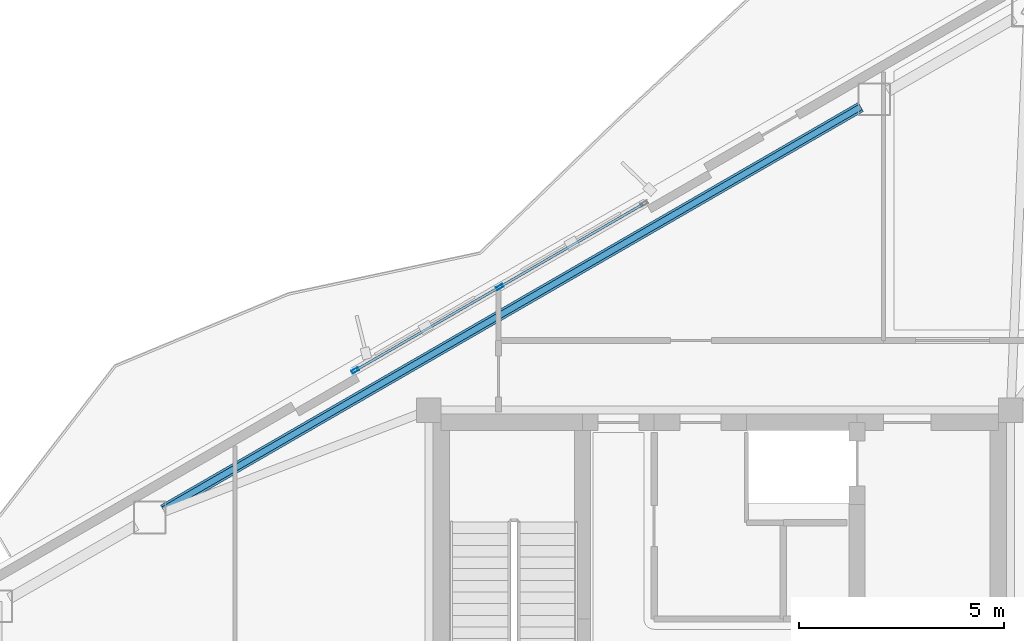
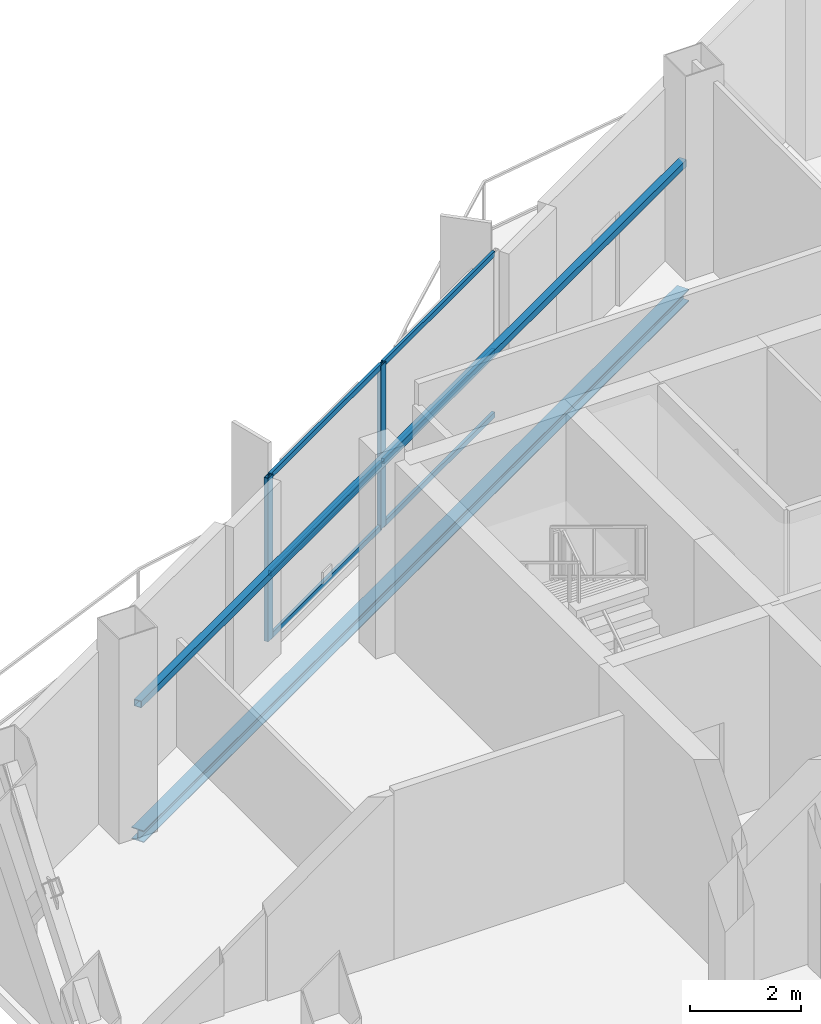
# One storey, part 6 of 14: 8 members, 2 beams, 1 element without a shape of its own.
"""IFC4 building model written with IfcOpenShell, lengths in metres."""

from ifc_helpers import new_model, si_unit, direction, frame, origin, origin_2d, place, context, subcontext, project, spatial, hollow_rectangle, i_section, extrude, material, layer, layer_set, material_profile, profile_set, type_object, element, aggregate, save


model = new_model("IFC4")

# Units and contexts
model_context = context("Model", 3, precision=1e-05, world=origin(), true_north=direction((0.0, 1.0)))
body_context = subcontext(model_context, "Body", "Model", "MODEL_VIEW")
ifc_project = project(units=[si_unit("LENGTHUNIT", "METRE"), si_unit("AREAUNIT", "SQUARE_METRE"), si_unit("VOLUMEUNIT", "CUBIC_METRE"), si_unit("PLANEANGLEUNIT", "RADIAN"), si_unit("MASSUNIT", "GRAM", prefix="KILO")], contexts=[model_context])

# Site, building, storey
site_placement = place(None, origin())
site = spatial("IfcSite", under=ifc_project, at=site_placement, CompositionType="ELEMENT")
building_placement = place(site_placement, origin())
building = spatial("IfcBuilding", under=site, at=building_placement, Name="Mersakhor Tower and Convention Hall", CompositionType="ELEMENT")
storey_placement = place(building_placement, frame((0.0, 0.0, 254.10009765625)))
storey = spatial("IfcBuildingStorey", under=building, at=storey_placement, Name="L71", CompositionType="ELEMENT", Elevation=254.10009765625)

# Beams
ifc_material_1 = material(Name="Steel S355", Category="steel")
ifc_material_profile_1 = material_profile(ifc_material_1, hollow_rectangle(XDim=0.14990234375, YDim=0.14990234375, WallThickness=0.010009765625, at=origin_2d()), Name="SHS 150x150x10")
ifc_profile_set_1 = profile_set([ifc_material_profile_1], Name="Steel S355")
beam_type_1 = type_object("IfcBeamType", Name="BM-GRT-SHS150", PredefinedType="USERDEFINED", material=ifc_profile_set_1)
beam_1_placement = place(storey_placement, frame((15.414794921875, 30.618408203125, 2.47998046875), z_axis=(0.866021610626, 0.500006569886, 0.0), x_axis=(-0.500006569886, 0.866021610626, 0.0)))
element("IfcBeam", 1, at=beam_1_placement, inside=storey, type_object=beam_type_1, Name="L71 Facade Support Girt GRT-F1", ObjectType="GIRT", PredefinedType="USERDEFINED", context=body_context, shape_type="SweptSolid", body=[
    extrude(hollow_rectangle(XDim=0.14990234375, YDim=0.14990234375, WallThickness=0.010009765625, at=origin_2d()), origin(), (0.0, 0.0, 1.0), 19.661865234375),
])
ifc_material_2 = material(Name="Steel S355", Category="steel")
ifc_material_profile_2 = material_profile(ifc_material_2, i_section(OverallWidth=0.25634765625, OverallDepth=0.26025390625, WebThickness=0.01025390625, FlangeThickness=0.017333984375, at=origin_2d()), Name="UC 254x254x89")
ifc_profile_set_2 = profile_set([ifc_material_profile_2], Name="Steel S355")
beam_type_2 = type_object("IfcBeamType", Name="BM-SPD-UC254", PredefinedType="SPANDREL", material=ifc_profile_set_2)
beam_2_placement = place(storey_placement, frame((15.414794921875, 30.618408203125, -0.41015625), z_axis=(0.866021610626, 0.500006569886, 0.0), x_axis=(-0.500006569886, 0.866021610626, 0.0)))
element("IfcBeam", 2, at=beam_2_placement, inside=storey, type_object=beam_type_2, Name="L71 Perimeter Spandrel Beam SPB-02", PredefinedType="SPANDREL", context=body_context, shape_type="SweptSolid", body=[
    extrude(i_section(OverallWidth=0.25634765625, OverallDepth=0.26025390625, WebThickness=0.01025390625, FlangeThickness=0.017333984375, at=origin_2d()), origin(), (0.0, 0.0, 1.0), 19.661865234375),
])

# Curtain wall, members
ifc_material_3 = material(Name="Dark solar low-E aluminium curtain wall", Category="aluminium")
ifc_layer = layer(ifc_material_3, 0.2099609375)
ifc_layer_set = layer_set([ifc_layer], Name="Dark solar low-E aluminium curtain wall")
curtain_wall_type = type_object("IfcCurtainWallType", Name="CW-SYS-06", PredefinedType="USERDEFINED", material=ifc_layer_set)
curtain_wall_placement = place(storey_placement, origin())
curtain_wall = element("IfcCurtainWall", 3, at=curtain_wall_placement, inside=storey, type_object=curtain_wall_type, Name="L71 Dark-Glass Curtain Wall F1-B2", ObjectType="CURTAIN WALL", PredefinedType="USERDEFINED")
ifc_material_4 = material(Name="Anodised aluminium EN AW-6063 T6", Category="aluminium")
ifc_material_profile_3 = material_profile(ifc_material_4, hollow_rectangle(XDim=0.080078125, YDim=0.179931640625, WallThickness=0.008056640625, at=origin_2d()), Name="RHS 180x80x8")
ifc_profile_set_3 = profile_set([ifc_material_profile_3], Name="Anodised aluminium EN AW-6063 T6")
member_type_1 = type_object("IfcMemberType", Name="CWM-180x80", PredefinedType="MULLION", material=ifc_profile_set_3)
member_1_placement = place(storey_placement, frame((20.1005859375, 34.0166015625, 0.199951171875), z_axis=(0.0, 0.0, 1.0), x_axis=(-0.500004411169, 0.86602285698, 0.0)))
member_1 = element("IfcMember", 4, at=member_1_placement, type_object=member_type_1, Name="CW-06 mullion 1", PredefinedType="MULLION", context=body_context, shape_type="SweptSolid", body=[
    extrude(hollow_rectangle(XDim=0.080078125, YDim=0.179931640625, WallThickness=0.008056640625, at=origin_2d()), origin(), (0.0, 0.0, 1.0), 3.599853515625),
])
member_2_placement = place(storey_placement, frame((23.628662109375, 36.053466796875, 0.199951171875), z_axis=(0.0, 0.0, 1.0), x_axis=(-0.500004411169, 0.86602285698, 0.0)))
member_2 = element("IfcMember", 5, at=member_2_placement, type_object=member_type_1, Name="CW-06 mullion 2", PredefinedType="MULLION", context=body_context, shape_type="SweptSolid", body=[
    extrude(hollow_rectangle(XDim=0.080078125, YDim=0.179931640625, WallThickness=0.008056640625, at=origin_2d()), origin(), (0.0, 0.0, 1.0), 3.599853515625),
])
ifc_material_5 = material(Name="Anodised aluminium EN AW-6063 T6", Category="aluminium")
ifc_material_profile_4 = material_profile(ifc_material_5, hollow_rectangle(XDim=0.06005859375, YDim=0.1201171875, WallThickness=0.0048828125, at=origin_2d()), Name="RHS 120x60x5")
ifc_profile_set_4 = profile_set([ifc_material_profile_4], Name="Anodised aluminium EN AW-6063 T6")
member_type_2 = type_object("IfcMemberType", Name="CWT-120x60", PredefinedType="USERDEFINED", material=ifc_profile_set_4)
member_3_placement = place(storey_placement, frame((20.13525390625, 34.03662109375, 0.22998046875), z_axis=(0.866033907579, 0.499985270706, 0.0), x_axis=(-0.499985270706, 0.866033907579, 0.0)))
member_3 = element("IfcMember", 6, at=member_3_placement, type_object=member_type_2, Name="CW-06 transom 1.1", ObjectType="TRANSOM", PredefinedType="USERDEFINED", context=body_context, shape_type="SweptSolid", body=[
    extrude(hollow_rectangle(XDim=0.06005859375, YDim=0.1201171875, WallThickness=0.0048828125, at=origin_2d()), origin(), (0.0, 0.0, 1.0), 3.99365234375),
])
member_4_placement = place(storey_placement, frame((20.13525390625, 34.03662109375, 1.619873046875), z_axis=(0.866033907579, 0.499985270706, 0.0), x_axis=(-0.499985270706, 0.866033907579, 0.0)))
member_4 = element("IfcMember", 7, at=member_4_placement, type_object=member_type_2, Name="CW-06 transom 1.2", ObjectType="TRANSOM", PredefinedType="USERDEFINED", context=body_context, shape_type="SweptSolid", body=[
    extrude(hollow_rectangle(XDim=0.06005859375, YDim=0.1201171875, WallThickness=0.0048828125, at=origin_2d()), origin(), (0.0, 0.0, 1.0), 3.99365234375),
])
member_5_placement = place(storey_placement, frame((20.13525390625, 34.03662109375, 3.77001953125), z_axis=(0.866033907579, 0.499985270706, 0.0), x_axis=(-0.499985270706, 0.866033907579, 0.0)))
member_5 = element("IfcMember", 8, at=member_5_placement, type_object=member_type_2, Name="CW-06 transom 1.3", ObjectType="TRANSOM", PredefinedType="USERDEFINED", context=body_context, shape_type="SweptSolid", body=[
    extrude(hollow_rectangle(XDim=0.06005859375, YDim=0.1201171875, WallThickness=0.0048828125, at=origin_2d()), origin(), (0.0, 0.0, 1.0), 3.99365234375),
])
member_6_placement = place(storey_placement, frame((23.663330078125, 36.073486328125, 0.22998046875), z_axis=(0.866007437469, 0.50003111728, 0.0), x_axis=(-0.50003111728, 0.866007437469, 0.0)))
member_6 = element("IfcMember", 9, at=member_6_placement, type_object=member_type_2, Name="CW-06 transom 2.1", ObjectType="TRANSOM", PredefinedType="USERDEFINED", context=body_context, shape_type="SweptSolid", body=[
    extrude(hollow_rectangle(XDim=0.06005859375, YDim=0.1201171875, WallThickness=0.0048828125, at=origin_2d()), origin(), (0.0, 0.0, 1.0), 3.993896484375),
])
member_7_placement = place(storey_placement, frame((23.663330078125, 36.073486328125, 1.619873046875), z_axis=(0.866007437469, 0.50003111728, 0.0), x_axis=(-0.50003111728, 0.866007437469, 0.0)))
member_7 = element("IfcMember", 10, at=member_7_placement, type_object=member_type_2, Name="CW-06 transom 2.2", ObjectType="TRANSOM", PredefinedType="USERDEFINED", context=body_context, shape_type="SweptSolid", body=[
    extrude(hollow_rectangle(XDim=0.06005859375, YDim=0.1201171875, WallThickness=0.0048828125, at=origin_2d()), origin(), (0.0, 0.0, 1.0), 3.993896484375),
])
member_8_placement = place(storey_placement, frame((23.663330078125, 36.073486328125, 3.77001953125), z_axis=(0.866007437469, 0.50003111728, 0.0), x_axis=(-0.50003111728, 0.866007437469, 0.0)))
member_8 = element("IfcMember", 11, at=member_8_placement, type_object=member_type_2, Name="CW-06 transom 2.3", ObjectType="TRANSOM", PredefinedType="USERDEFINED", context=body_context, shape_type="SweptSolid", body=[
    extrude(hollow_rectangle(XDim=0.06005859375, YDim=0.1201171875, WallThickness=0.0048828125, at=origin_2d()), origin(), (0.0, 0.0, 1.0), 3.993896484375),
])
aggregate(curtain_wall, [member_1, member_2, member_3, member_4, member_5, member_6, member_7, member_8])

save(model, "model.ifc")
